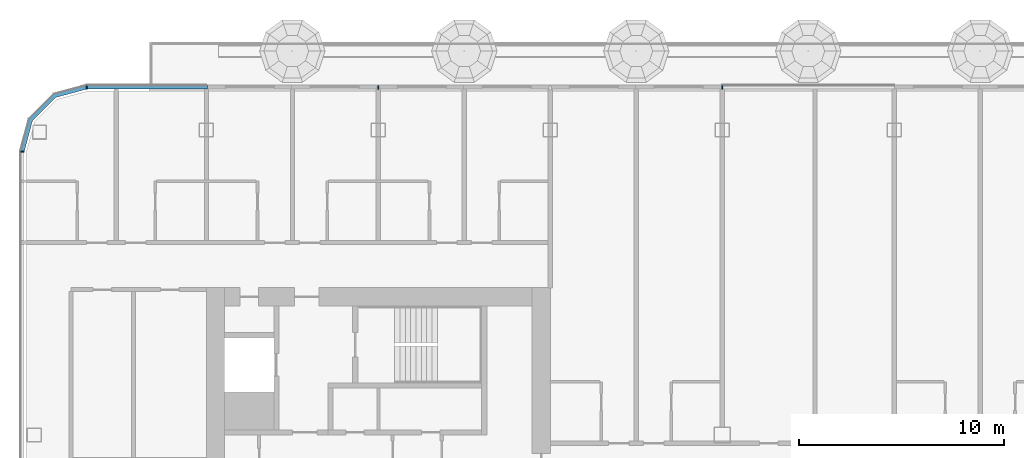
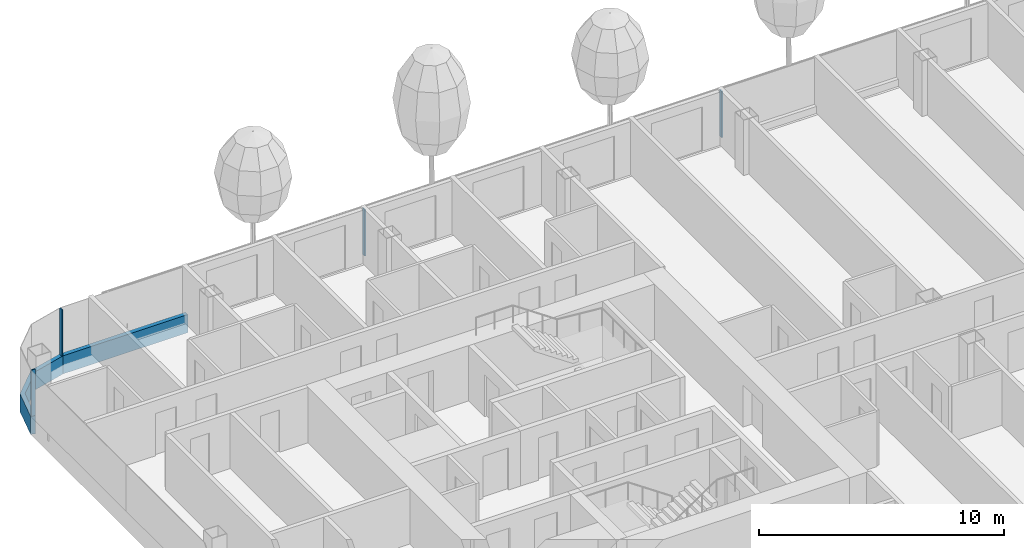
# One storey, part 4 of 32: 6 members, 3 elements without a shape of their own.
"""IFC4 building model written with IfcOpenShell, lengths in metres."""

from ifc_helpers import new_model, si_unit, direction, frame, origin, origin_2d, place, context, subcontext, project, spatial, polyline, rectangle, outline, extrude, material, layer, layer_set, material_profile, profile_set, type_object, element, aggregate, save


model = new_model("IFC4")

# Units and contexts
model_context = context("Model", 3, precision=1e-05, world=origin(), true_north=direction((0.0, 1.0)))
body_context = subcontext(model_context, "Body", "Model", "MODEL_VIEW")
ifc_project = project(units=[si_unit("LENGTHUNIT", "METRE"), si_unit("AREAUNIT", "SQUARE_METRE"), si_unit("VOLUMEUNIT", "CUBIC_METRE"), si_unit("PLANEANGLEUNIT", "RADIAN"), si_unit("MASSUNIT", "GRAM", prefix="KILO")], contexts=[model_context])

# Site, building, storey
site_placement = place(None, origin())
site = spatial("IfcSite", under=ifc_project, at=site_placement, CompositionType="ELEMENT")
building_placement = place(site_placement, origin())
building = spatial("IfcBuilding", under=site, at=building_placement, Name="Hakoniwa Tower and Hamabe Station Hall", CompositionType="ELEMENT")
storey_placement = place(building_placement, frame((0.0, 0.0, 150.199951171875)))
storey = spatial("IfcBuildingStorey", under=building, at=storey_placement, Name="L42", CompositionType="ELEMENT", Elevation=150.199951171875)

# Curtain wall, member
ifc_material_1 = material(Name="Dark low-e laminated glass", Category="glass")
ifc_layer = layer(ifc_material_1, 0.199951171875)
ifc_layer_set = layer_set([ifc_layer], Name="CW-1 UNITISED GUEST")
curtain_wall_type = type_object("IfcCurtainWallType", Name="CW-1 UNITISED GUEST", PredefinedType="NOTDEFINED", material=ifc_layer_set)
curtain_wall_1_placement = place(storey_placement, origin())
curtain_wall_1 = element("IfcCurtainWall", 1, at=curtain_wall_1_placement, inside=storey, type_object=curtain_wall_type, Name="CW-1 curtain wall", PredefinedType="NOTDEFINED")
ifc_material_2 = material(Name="Aluminium 6063-T5 black anodised", Category="aluminium")
ifc_material_profile_1 = material_profile(ifc_material_2, rectangle(XDim=0.199951171875, YDim=0.89990234375, at=origin_2d()), Name="CW SLAB-EDGE BAND 900X200")
ifc_profile_set_1 = profile_set([ifc_material_profile_1], Name="Aluminium 6063-T5 black anodised")
member_type_1 = type_object("IfcMemberType", Name="CW SLAB-EDGE BAND 900X200", PredefinedType="USERDEFINED", material=ifc_profile_set_1)
member_1_placement = place(storey_placement, frame((-33.5400390625, 18.199951171875, -0.099853515625), z_axis=(-1.0, 0.0, 0.0), x_axis=(0.0, -1.0, 0.0)))
member_1 = element("IfcMember", 2, at=member_1_placement, type_object=member_type_1, Name="CW-1 transom", ObjectType="TRANSOM", PredefinedType="USERDEFINED", context=body_context, shape_type="SweptSolid", body=[
    extrude(rectangle(XDim=0.199951171875, YDim=0.89990234375, at=origin_2d()), origin(), (0.0, 0.0, 1.0), 5.8994140625),
])

curtain_wall_2_placement = place(storey_placement, origin())
curtain_wall_2 = element("IfcCurtainWall", 3, at=curtain_wall_2_placement, inside=storey, type_object=curtain_wall_type, Name="CW-1 curtain wall", PredefinedType="NOTDEFINED")
member_2_placement = place(storey_placement, frame((0.0, 0.0, -0.550048828125)))
member_2 = element("IfcMember", 4, at=member_2_placement, type_object=member_type_1, Name="CW-1 transom", ObjectType="TRANSOM", PredefinedType="USERDEFINED", context=body_context, shape_type="SweptSolid", body=[
    extrude(outline(polyline([(-39.439453125, 18.300048828125), (-41.05517578125, 17.866943359375), (-42.26708984375, 16.6552734375), (-42.699951171875, 15.03955078125), (-42.5068359375, 14.98779296875), (-42.087646484375, 16.5517578125), (-40.95166015625, 17.687744140625), (-39.3876953125, 18.10693359375), (-39.439453125, 18.300048828125)])), origin(), (0.0, 0.0, 1.0), 0.900146484375),
])
aggregate(curtain_wall_2, [member_2])

# Member
ifc_material_3 = material(Name="Aluminium 6063-T5 black anodised", Category="aluminium")
ifc_material_profile_2 = material_profile(ifc_material_3, rectangle(XDim=0.06005859375, YDim=0.179931640625, at=origin_2d()), Name="CW-1 MULLION 60X180")
ifc_profile_set_2 = profile_set([ifc_material_profile_2], Name="Aluminium 6063-T5 black anodised")
member_type_2 = type_object("IfcMemberType", Name="CW-1 MULLION 60X180", PredefinedType="MULLION", material=ifc_profile_set_2)
member_3_placement = place(storey_placement, frame((-8.39990234375, 18.181884765625, 0.35009765625), z_axis=(0.0, 0.0, 1.0), x_axis=(-1.0, 0.0, 0.0)))
member_3 = element("IfcMember", 5, at=member_3_placement, type_object=member_type_2, Name="CW-1 mullion", PredefinedType="MULLION", context=body_context, shape_type="SweptSolid", body=[
    extrude(rectangle(XDim=0.06005859375, YDim=0.179931640625, at=origin_2d()), origin(), (0.0, 0.0, 1.0), 2.300048828125),
])

member_4_placement = place(storey_placement, frame((-25.199951171875, 18.181884765625, 0.35009765625), z_axis=(0.0, 0.0, 1.0), x_axis=(-1.0, 0.0, 0.0)))
member_4 = element("IfcMember", 6, at=member_4_placement, type_object=member_type_2, Name="CW-1 mullion", PredefinedType="MULLION", context=body_context, shape_type="SweptSolid", body=[
    extrude(rectangle(XDim=0.06005859375, YDim=0.179931640625, at=origin_2d()), origin(), (0.0, 0.0, 1.0), 2.300048828125),
])

member_5_placement = place(storey_placement, frame((-39.439453125, 18.181884765625, 0.35009765625), z_axis=(0.0, 0.0, 1.0), x_axis=(-1.0, 0.0, 0.0)))
member_5 = element("IfcMember", 7, at=member_5_placement, type_object=member_type_2, Name="CW-1 mullion", PredefinedType="MULLION", context=body_context, shape_type="SweptSolid", body=[
    extrude(rectangle(XDim=0.06005859375, YDim=0.179931640625, at=origin_2d()), origin(), (0.0, 0.0, 1.0), 2.300048828125),
])

aggregate(curtain_wall_1, [member_3, member_4, member_5, member_1])

# Curtain wall, member
curtain_wall_3_placement = place(storey_placement, origin())
curtain_wall_3 = element("IfcCurtainWall", 8, at=curtain_wall_3_placement, inside=storey, type_object=curtain_wall_type, Name="CW-1 curtain wall", PredefinedType="NOTDEFINED")
member_6_placement = place(storey_placement, frame((-42.58203125, 15.03955078125, 0.35009765625), z_axis=(0.0, 0.0, 1.0), x_axis=(0.0, -1.0, 0.0)))
member_6 = element("IfcMember", 9, at=member_6_placement, type_object=member_type_2, Name="CW-1 mullion", PredefinedType="MULLION", context=body_context, shape_type="SweptSolid", body=[
    extrude(rectangle(XDim=0.06005859375, YDim=0.179931640625, at=origin_2d()), origin(), (0.0, 0.0, 1.0), 2.300048828125),
])
aggregate(curtain_wall_3, [member_6])

save(model, "model.ifc")
